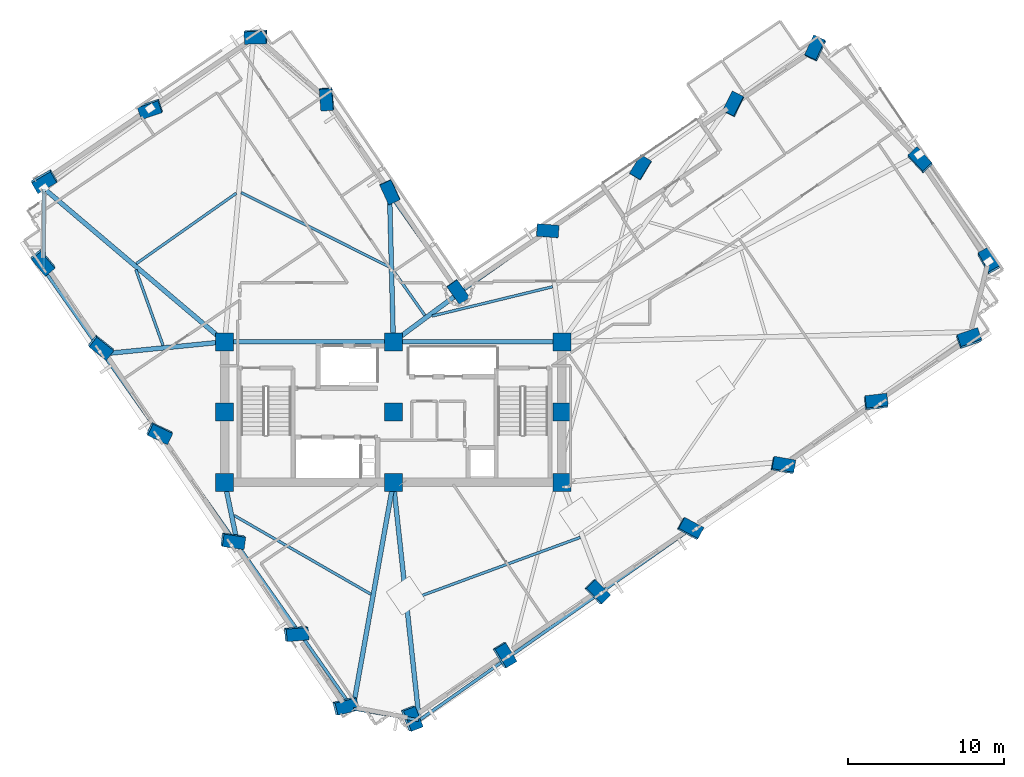
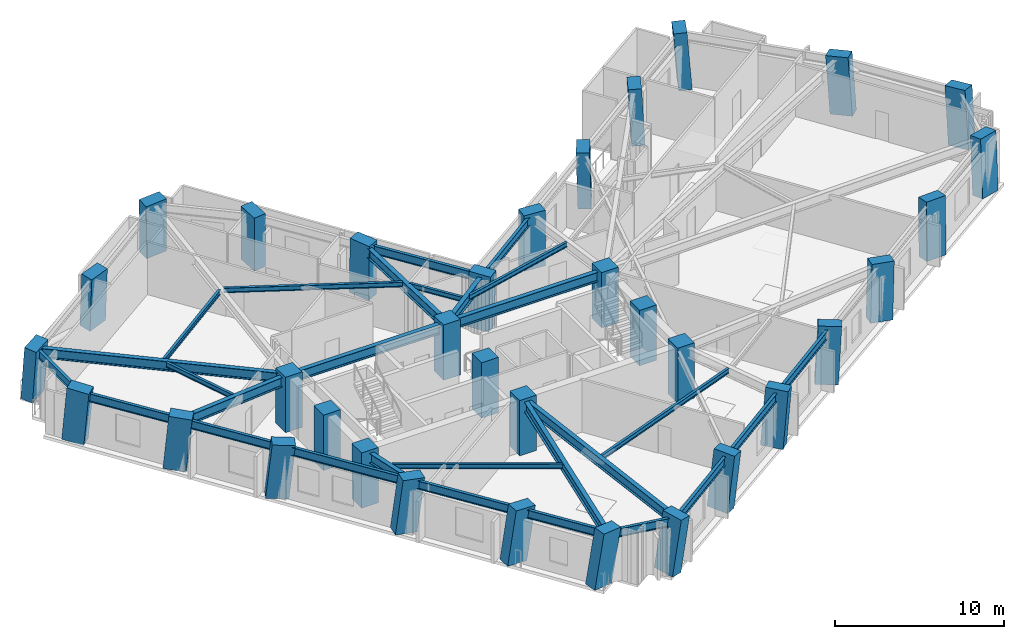
# One storey, part 1 of 16: 34 columns, 28 beams.
"""IFC4 building model written with IfcOpenShell, lengths in metres."""

import ifcopenshell
import ifcopenshell.guid

model = None  # the IFC model being written
_history = None  # IfcOwnerHistory: only IFC2X3 demands one
_inside = {}  # id of a spatial element -> (the spatial element, [elements in it])
_under = {}  # id of a project, library or spatial element -> (it, [spatial elements below it])
_declared = {}  # id of a project -> (the project, [libraries it declares])
_typed = {}  # id of a type object -> (the type object, [elements of that type])
_made_of = {}  # id of a material, layer set ... -> (it, [elements and type objects made of it])


def new_model(schema):
    """Start an empty IFC model of exactly this schema.

    Asked for "IFC4X3", IfcOpenShell would pick the latest addendum, in which some entities
    have other attributes; the version numbers below select the first issue.
    IFC2X3 requires an IfcOwnerHistory on every rooted entity: one is made here for all.
    """
    global model, _history
    if schema == "IFC4X3":
        model = ifcopenshell.file(schema_version=(4, 3, 0, 0))
    else:
        model = ifcopenshell.file(schema=schema)
    _inside.clear()
    _under.clear()
    _declared.clear()
    _typed.clear()
    _made_of.clear()
    _history = None
    if model.schema == "IFC2X3":
        org = make("IfcOrganization", Name="unknown")
        user = make(
            "IfcPersonAndOrganization",
            ThePerson=make("IfcPerson", FamilyName="unknown"),
            TheOrganization=org,
        )
        app = make(
            "IfcApplication",
            ApplicationDeveloper=org,
            Version="unknown",
            ApplicationFullName="unknown",
            ApplicationIdentifier="unknown",
        )
        _history = make(
            "IfcOwnerHistory",
            OwningUser=user,
            OwningApplication=app,
            ChangeAction="ADDED",
            CreationDate=0,
        )
    return model


def make(cls, **values):
    """One entity of the class cls with the attributes given. An attribute that is None is left unset."""
    return model.create_entity(
        cls, **{name: value for name, value in values.items() if value is not None}
    )


def rooted(cls, **values):
    """An entity with a GlobalId (a new one), such as an element, a storey or a relation."""
    return make(cls, GlobalId=ifcopenshell.guid.new(), OwnerHistory=_history, **values)


def si_unit(unit_type, name, prefix=None):
    """IfcSIUnit, for example si_unit("LENGTHUNIT", "METRE", prefix="MILLI")."""
    return make("IfcSIUnit", UnitType=unit_type, Prefix=prefix, Name=name)


def assignment(units):
    """IfcUnitAssignment: the units of a project."""
    return None if units is None else make("IfcUnitAssignment", Units=units)


def point(xyz):
    """IfcCartesianPoint."""
    return None if xyz is None else make("IfcCartesianPoint", Coordinates=xyz)


def direction(xyz):
    """IfcDirection."""
    return None if xyz is None else make("IfcDirection", DirectionRatios=xyz)


def frame(location, z_axis=None, x_axis=None):
    """IfcAxis2Placement3D, a coordinate frame: its origin and axes. An axis left out is left unset."""
    return make(
        "IfcAxis2Placement3D",
        Location=point(location),
        Axis=direction(z_axis),
        RefDirection=direction(x_axis),
    )


def frame_2d(location, x_axis=None):
    """IfcAxis2Placement2D, a coordinate frame in the plane: its origin and x axis."""
    return make(
        "IfcAxis2Placement2D", Location=point(location), RefDirection=direction(x_axis)
    )


def origin():
    """The frame at (0, 0, 0) with its axes left unset."""
    return frame((0.0, 0.0, 0.0))


def origin_2d():
    """The frame at (0, 0) in the plane with its x axis left unset."""
    return frame_2d((0.0, 0.0))


def place(relative_to, where):
    """IfcLocalPlacement: puts the frame where relative to a parent placement (None: the world)."""
    return make(
        "IfcLocalPlacement", PlacementRelTo=relative_to, RelativePlacement=where
    )


def context(
    kind, dimensions, precision=None, world=None, true_north=None, identifier=None
):
    """IfcGeometricRepresentationContext, for example the 3D "Model" context."""
    return make(
        "IfcGeometricRepresentationContext",
        ContextIdentifier=identifier,
        ContextType=kind,
        CoordinateSpaceDimension=dimensions,
        Precision=precision,
        WorldCoordinateSystem=world,
        TrueNorth=true_north,
    )


def subcontext(parent, identifier, kind, view, scale=None):
    """IfcGeometricRepresentationSubContext, for example "Body" below "Model"."""
    return make(
        "IfcGeometricRepresentationSubContext",
        ContextIdentifier=identifier,
        ContextType=kind,
        ParentContext=parent,
        TargetScale=scale,
        TargetView=view,
    )


def project(units=None, contexts=None):
    """IfcProject with its units and contexts."""
    return rooted(
        "IfcProject",
        Name="project",
        RepresentationContexts=contexts,
        UnitsInContext=assignment(units),
    )


def spatial(cls, under=None, at=None, **own):
    """A site, building, storey or space (cls), placed at a placement, below another one or the project."""
    s = rooted(cls, ObjectPlacement=at, **own)
    if under is not None:
        _under.setdefault(under.id(), (under, []))[1].append(s)
    return s


def profile(cls, at=None, kind="AREA", **sizes):
    """A parametric profile (cls). Its sizes go by their IFC names, for example OverallWidth=200.0."""
    return make(cls, ProfileType=kind, Position=at, **sizes)


def rectangle(**sizes):
    """IfcRectangleProfileDef."""
    return profile("IfcRectangleProfileDef", **sizes)


def i_section(**sizes):
    """IfcIShapeProfileDef."""
    return profile("IfcIShapeProfileDef", **sizes)


def extrude(swept, where, along, depth):
    """IfcExtrudedAreaSolid: the profile swept, set in the frame where, extruded along a direction by depth."""
    return make(
        "IfcExtrudedAreaSolid",
        SweptArea=swept,
        Position=where,
        ExtrudedDirection=direction(along),
        Depth=depth,
    )


def shape(context_of_items, identifier, shape_type, items):
    """IfcShapeRepresentation: the items that make up one representation, for example the "Body"."""
    return make(
        "IfcShapeRepresentation",
        ContextOfItems=context_of_items,
        RepresentationIdentifier=identifier,
        RepresentationType=shape_type,
        Items=items,
    )


def material(Name=None, Category=None):
    """IfcMaterial."""
    return make("IfcMaterial", Name=Name, Category=Category)


def material_profile(
    of_material, cross_section, Name=None, Category=None, Priority=None
):
    """IfcMaterialProfile: a cross section and its material."""
    return make(
        "IfcMaterialProfile",
        Name=Name,
        Material=of_material,
        Profile=cross_section,
        Priority=Priority,
        Category=Category,
    )


def profile_set(profiles, Name=None, composite=None):
    """IfcMaterialProfileSet."""
    return make(
        "IfcMaterialProfileSet",
        Name=Name,
        MaterialProfiles=profiles,
        CompositeProfile=composite,
    )


def made_of(thing, what):
    """Note that an element or type object is made of a material, layer set ...; save() writes the relation."""
    if what is not None:
        _made_of.setdefault(what.id(), (what, []))[1].append(thing)
    return thing


def type_object(cls, material=None, **own):
    """A type object (cls), such as IfcWallType, which elements share."""
    return made_of(rooted(cls, **own), material)


def element(
    cls,
    number,
    at=None,
    inside=None,
    cuts=None,
    type_object=None,
    material=None,
    context=None,
    identifier="Body",
    shape_type=None,
    held_by="IfcProductDefinitionShape",
    body=None,
    shapes=None,
    **own,
):
    """One element of the class cls, such as IfcWall. Its Tag is "e" and its number.

    at: its placement. inside: the storey or other place that contains it. cuts: it is an
    opening in that element (IfcRelVoidsElement). A single representation is given by context,
    identifier, shape_type and body (its items); several are given by shapes. held_by: the class
    of the entity that holds the representations. save() writes the other relations.
    """
    e = rooted(cls, Tag="e%d" % number, ObjectPlacement=at, **own)
    if body is not None:
        shapes = [shape(context, identifier, shape_type, body)]
    if shapes is not None:
        e.Representation = make(held_by, Representations=shapes)
    if inside is not None:
        _inside.setdefault(inside.id(), (inside, []))[1].append(e)
    if cuts is not None:
        rooted(
            "IfcRelVoidsElement", RelatingBuildingElement=cuts, RelatedOpeningElement=e
        )
    if type_object is not None:
        _typed.setdefault(type_object.id(), (type_object, []))[1].append(e)
    return made_of(e, material)


def aggregate(whole, parts):
    """IfcRelAggregates: a whole, such as a stair, and the parts it consists of."""
    return rooted("IfcRelAggregates", RelatingObject=whole, RelatedObjects=parts)


def save(model, path):
    """Write the relations noted so far, then the file.

    IfcRelAggregates (storeys below a building ...), IfcRelContainedInSpatialStructure (elements
    in a storey), IfcRelDefinesByType, IfcRelAssociatesMaterial and IfcRelDeclares: one each for
    every whole, place, type object, material and project.
    """
    for whole, parts in _under.values():
        aggregate(whole, parts)
    for where, things in _inside.values():
        rooted(
            "IfcRelContainedInSpatialStructure",
            RelatedElements=things,
            RelatingStructure=where,
        )
    for kind, things in _typed.values():
        rooted("IfcRelDefinesByType", RelatedObjects=things, RelatingType=kind)
    for what, things in _made_of.values():
        rooted("IfcRelAssociatesMaterial", RelatedObjects=things, RelatingMaterial=what)
    for by, libraries in _declared.values():
        rooted("IfcRelDeclares", RelatingContext=by, RelatedDefinitions=libraries)
    model.write(path)


model = new_model("IFC4")

# Units and contexts
model_context = context("Model", 3, precision=1e-05, world=origin(), true_north=direction((0.0, 1.0)))
body_context = subcontext(model_context, "Body", "Model", "MODEL_VIEW")
ifc_project = project(units=[si_unit("LENGTHUNIT", "METRE"), si_unit("AREAUNIT", "SQUARE_METRE"), si_unit("VOLUMEUNIT", "CUBIC_METRE"), si_unit("PLANEANGLEUNIT", "RADIAN"), si_unit("MASSUNIT", "GRAM", prefix="KILO")], contexts=[model_context])

# Site, building, storey
site_placement = place(None, origin())
site = spatial("IfcSite", under=ifc_project, at=site_placement, CompositionType="ELEMENT")
building_placement = place(site_placement, origin())
building = spatial("IfcBuilding", under=site, at=building_placement, Name="Gaonmaruhae Medical Tower", CompositionType="ELEMENT")
storey_placement = place(building_placement, frame((0.0, 0.0, 169.800048828125)))
storey = spatial("IfcBuildingStorey", under=building, at=storey_placement, Name="L40", CompositionType="ELEMENT", Elevation=169.800048828125)

# Columns
ifc_material_1 = material(Name="Concrete C50/60", Category="concrete")
ifc_material_profile_1 = material_profile(ifc_material_1, rectangle(XDim=1.14990234375, YDim=1.14990234375, at=origin_2d()), Name="RC-1150x1150")
ifc_profile_set_1 = profile_set([ifc_material_profile_1], Name="Concrete C50/60")
column_type_1 = type_object("IfcColumnType", Name="CC-04 Zone 3 Core Column (RC-1150x1150)", PredefinedType="COLUMN", material=ifc_profile_set_1)
for number, where, z_axis, x_axis, name in (
    (1, (14.0, 7.800048828125, 0.0), (0.0, 0.0, 1.0), (1.0, 0.0, 0.0), "L40 Plumb Core Column CC11"),
    (2, (14.0, 12.300048828125, 0.0), (0.0, 0.0, 1.0), (1.0, 0.0, 0.0), "L40 Plumb Core Column CC12"),
    (3, (14.0, 16.800048828125, 0.0), (0.0, 0.0, 1.0), (1.0, 0.0, 0.0), "L40 Plumb Core Column CC13"),
    (4, (24.800048828125, 7.800048828125, 0.0), (0.0, 0.0, 1.0), (1.0, 0.0, 0.0), "L40 Plumb Core Column CC21"),
    (5, (24.800048828125, 12.300048828125, 0.0), (0.0, 0.0, 1.0), (1.0, 0.0, 0.0), "L40 Plumb Core Column CC22"),
    (6, (24.800048828125, 16.800048828125, 0.0), (0.0, 0.0, 1.0), (1.0, 0.0, 0.0), "L40 Plumb Core Column CC23"),
    (7, (35.60009765625, 7.800048828125, 0.0), (0.0, 0.0, 1.0), (1.0, 0.0, 0.0), "L40 Plumb Core Column CC31"),
    (8, (35.60009765625, 12.300048828125, 0.0), (0.0, 0.0, 1.0), (1.0, 0.0, 0.0), "L40 Plumb Core Column CC32"),
    (9, (35.60009765625, 16.800048828125, 0.0), (0.0, 0.0, 1.0), (1.0, 0.0, 0.0), "L40 Plumb Core Column CC33"),
):
    element("IfcColumn", number, at=place(storey_placement, frame(where, z_axis=z_axis, x_axis=x_axis)), inside=storey, type_object=column_type_1, Name=name, PredefinedType="COLUMN", context=body_context, shape_type="SweptSolid", body=[
        extrude(rectangle(XDim=1.14990234375, YDim=1.14990234375, at=origin_2d()), origin(), (0.0, 0.0, 1.0), 4.0),
    ])
ifc_material_2 = material(Name="Concrete C60/75", Category="concrete")
ifc_material_profile_2 = material_profile(ifc_material_2, rectangle(XDim=1.39990234375, YDim=0.800048828125, at=origin_2d()), Name="RC-1400x800")
ifc_profile_set_2 = profile_set([ifc_material_profile_2], Name="Concrete C60/75")
column_type_2 = type_object("IfcColumnType", Name="TC-02 Mid Raking Tube Pier Column (RC-1400x800)", PredefinedType="COLUMN", material=ifc_profile_set_2)
column_1_placement = place(storey_placement, frame((25.92578125, -7.3173828125, 0.001708984375), z_axis=(0.132189676567, -0.030444783568, 0.990756783758), x_axis=(-0.35705454414, 0.930966424688, 0.076246761318)))
element("IfcColumn", 10, at=column_1_placement, inside=storey, type_object=column_type_2, Name="L40 Perimeter Tube Column S01", PredefinedType="COLUMN", context=body_context, shape_type="SweptSolid", body=[
    extrude(rectangle(XDim=1.39990234375, YDim=0.800048828125, at=origin_2d()), origin(), (0.0, 0.0, 1.0), 4.03369140625),
])
column_2_placement = place(storey_placement, frame((31.880859375, -3.2705078125, 0.001708984375), z_axis=(0.115596195441, -0.006068041755, 0.993277754945), x_axis=(-0.514180671771, 0.855210437233, 0.065064159292)))
element("IfcColumn", 11, at=column_2_placement, inside=storey, type_object=column_type_2, Name="L40 Perimeter Tube Column S02", PredefinedType="COLUMN", context=body_context, shape_type="SweptSolid", body=[
    extrude(rectangle(XDim=1.39990234375, YDim=0.800048828125, at=origin_2d()), origin(), (0.0, 0.0, 1.0), 4.0234375),
])
column_3_placement = place(storey_placement, frame((37.835693359375, 0.776611328125, 0.001708984375), z_axis=(0.098951455885, 0.01829507876, 0.994924067189), x_axis=(-0.700280094334, 0.711623898087, 0.056561622595)))
element("IfcColumn", 12, at=column_3_placement, inside=storey, type_object=column_type_2, Name="L40 Perimeter Tube Column S03", PredefinedType="COLUMN", context=body_context, shape_type="SweptSolid", body=[
    extrude(rectangle(XDim=1.39990234375, YDim=0.800048828125, at=origin_2d()), origin(), (0.0, 0.0, 1.0), 4.016845703125),
])
column_4_placement = place(storey_placement, frame((43.790771484375, 4.82373046875, 0.001708984375), z_axis=(0.082058303319, 0.042762777786, 0.995709686451), x_axis=(-0.87854744754, 0.4748149682, 0.052010848805)))
element("IfcColumn", 13, at=column_4_placement, inside=storey, type_object=column_type_2, Name="L40 Perimeter Tube Column S04", PredefinedType="COLUMN", context=body_context, shape_type="SweptSolid", body=[
    extrude(rectangle(XDim=1.39990234375, YDim=0.800048828125, at=origin_2d()), origin(), (0.0, 0.0, 1.0), 4.013671875),
])
column_5_placement = place(storey_placement, frame((49.74560546875, 8.870849609375, 0.001708984375), z_axis=(0.065202161493, 0.067148494672, 0.995610243921), x_axis=(-0.983217483362, 0.174687404905, 0.05260884887)))
element("IfcColumn", 14, at=column_5_placement, inside=storey, type_object=column_type_2, Name="L40 Perimeter Tube Column S05", PredefinedType="COLUMN", context=body_context, shape_type="SweptSolid", body=[
    extrude(rectangle(XDim=1.39990234375, YDim=0.800048828125, at=origin_2d()), origin(), (0.0, 0.0, 1.0), 4.013916015625),
])
column_6_placement = place(storey_placement, frame((55.70068359375, 12.917724609375, 0.001708984375), z_axis=(0.048185452989, 0.091509826232, 0.994637679672), x_axis=(-0.992304167362, -0.109330716198, 0.058131178649)))
element("IfcColumn", 15, at=column_6_placement, inside=storey, type_object=column_type_2, Name="L40 Perimeter Tube Column S06", PredefinedType="COLUMN", context=body_context, shape_type="SweptSolid", body=[
    extrude(rectangle(XDim=1.39990234375, YDim=0.800048828125, at=origin_2d()), origin(), (0.0, 0.0, 1.0), 4.017822265625),
])
column_7_placement = place(storey_placement, frame((61.655517578125, 16.96484375, 0.001708984375), z_axis=(0.031295675445, 0.115721218507, 0.992788587911), x_axis=(-0.944079501124, -0.322759370879, 0.067381630046)))
element("IfcColumn", 16, at=column_7_placement, inside=storey, type_object=column_type_2, Name="L40 Perimeter Tube Column S07", PredefinedType="COLUMN", context=body_context, shape_type="SweptSolid", body=[
    extrude(rectangle(XDim=1.39990234375, YDim=0.800048828125, at=origin_2d()), origin(), (0.0, 0.0, 1.0), 4.025390625),
])
column_8_placement = place(storey_placement, frame((62.9287109375, 21.94091796875, 0.001708984375), z_axis=(0.010733315165, 0.120795275761, 0.992619412111), x_axis=(0.487215616572, -0.867502531663, 0.10030104948)))
element("IfcColumn", 17, at=column_8_placement, inside=storey, type_object=column_type_2, Name="L40 Perimeter Tube Column E01", PredefinedType="COLUMN", context=body_context, shape_type="SweptSolid", body=[
    extrude(rectangle(XDim=1.39990234375, YDim=0.800048828125, at=origin_2d()), origin(), (0.0, 0.0, 1.0), 4.026123046875),
])
column_9_placement = place(storey_placement, frame((58.54443359375, 28.39208984375, 0.001708984375), z_axis=(-0.015676138323, 0.102745542265, 0.994584140348), x_axis=(0.679723744702, -0.728413429944, 0.0859622357)))
element("IfcColumn", 18, at=column_9_placement, inside=storey, type_object=column_type_2, Name="L40 Perimeter Tube Column E02", PredefinedType="COLUMN", context=body_context, shape_type="SweptSolid", body=[
    extrude(rectangle(XDim=1.39990234375, YDim=0.800048828125, at=origin_2d()), origin(), (0.0, 0.0, 1.0), 4.01806640625),
])
column_10_placement = place(storey_placement, frame((51.8515625, 35.571533203125, 0.001708984375), z_axis=(-0.045094693959, 0.075036110191, 0.996160655087), x_axis=(-0.420488593526, -0.90596247827, 0.049207018627)))
element("IfcColumn", 19, at=column_10_placement, inside=storey, type_object=column_type_2, Name="L40 Perimeter Tube Column E03", PredefinedType="COLUMN", context=body_context, shape_type="SweptSolid", body=[
    extrude(rectangle(XDim=1.39990234375, YDim=0.800048828125, at=origin_2d()), origin(), (0.0, 0.0, 1.0), 4.01171875),
])
column_11_placement = place(storey_placement, frame((46.599609375, 32.00244140625, 0.001708984375), z_axis=(-0.030243842786, 0.05353647977, 0.998107787419), x_axis=(-0.444173384938, -0.895273976304, 0.034561705191)))
element("IfcColumn", 20, at=column_11_placement, inside=storey, type_object=column_type_2, Name="L40 Perimeter Tube Column EN01", PredefinedType="COLUMN", context=body_context, shape_type="SweptSolid", body=[
    extrude(rectangle(XDim=1.39990234375, YDim=0.800048828125, at=origin_2d()), origin(), (0.0, 0.0, 1.0), 4.00390625),
])
column_12_placement = place(storey_placement, frame((40.64453125, 27.955322265625, 0.001708984375), z_axis=(-0.013311050234, 0.029064495006, 0.999488904927), x_axis=(-0.518042365863, -0.855166206811, 0.017968469588)))
element("IfcColumn", 21, at=column_12_placement, inside=storey, type_object=column_type_2, Name="L40 Perimeter Tube Column EN02", PredefinedType="COLUMN", context=body_context, shape_type="SweptSolid", body=[
    extrude(rectangle(XDim=1.39990234375, YDim=0.800048828125, at=origin_2d()), origin(), (0.0, 0.0, 1.0), 3.998291015625),
])
column_13_placement = place(storey_placement, frame((34.689697265625, 23.908203125, 0.001708984375), z_axis=(0.003665402111, 0.004581752639, 0.999982786037), x_axis=(-0.996966081453, 0.077767316045, 0.003298027747)))
element("IfcColumn", 22, at=column_13_placement, inside=storey, type_object=column_type_2, Name="L40 Perimeter Tube Column EN03", PredefinedType="COLUMN", context=body_context, shape_type="SweptSolid", body=[
    extrude(rectangle(XDim=1.39990234375, YDim=0.800048828125, at=origin_2d()), origin(), (0.0, 0.0, 1.0), 3.996337890625),
])
column_14_placement = place(storey_placement, frame((28.94140625, 20.001708984375, 0.001708984375), z_axis=(0.020030194878, -0.019114179869, 0.99961664623), x_axis=(-0.581006277016, 0.813444565277, 0.027196420538)))
element("IfcColumn", 23, at=column_14_placement, inside=storey, type_object=column_type_2, Name="L40 Perimeter Tube Column KN01", PredefinedType="COLUMN", context=body_context, shape_type="SweptSolid", body=[
    extrude(rectangle(XDim=1.39990234375, YDim=0.800048828125, at=origin_2d()), origin(), (0.0, 0.0, 1.0), 3.997802734375),
])
column_15_placement = place(storey_placement, frame((24.585205078125, 26.41162109375, 0.001708984375), z_axis=(-0.006348894644, -0.03742185016, 0.999279388693), x_axis=(-0.415920743868, 0.908858847137, 0.031393164881)))
element("IfcColumn", 24, at=column_15_placement, inside=storey, type_object=column_type_2, Name="L40 Perimeter Tube Column NE01", PredefinedType="COLUMN", context=body_context, shape_type="SweptSolid", body=[
    extrude(rectangle(XDim=1.39990234375, YDim=0.800048828125, at=origin_2d()), origin(), (0.0, 0.0, 1.0), 3.999267578125),
])
column_16_placement = place(storey_placement, frame((20.538330078125, 32.366455078125, 0.001708984375), z_axis=(-0.030851806234, -0.054265034679, 0.998049834459), x_axis=(-0.080649330283, 0.995404549796, 0.051628168379)))
element("IfcColumn", 25, at=column_16_placement, inside=storey, type_object=column_type_2, Name="L40 Perimeter Tube Column NE02", PredefinedType="COLUMN", context=body_context, shape_type="SweptSolid", body=[
    extrude(rectangle(XDim=1.39990234375, YDim=0.800048828125, at=origin_2d()), origin(), (0.0, 0.0, 1.0), 4.004150390625),
])
column_17_placement = place(storey_placement, frame((16.00927734375, 36.36181640625, 0.001708984375), z_axis=(-0.047105602248, -0.07303194147, 0.996216541602), x_axis=(0.99855811031, 0.022260915864, 0.048848254409)))
element("IfcColumn", 26, at=column_17_placement, inside=storey, type_object=column_type_2, Name="L40 Perimeter Tube Column N01", PredefinedType="COLUMN", context=body_context, shape_type="SweptSolid", body=[
    extrude(rectangle(XDim=1.39990234375, YDim=0.800048828125, at=origin_2d()), origin(), (0.0, 0.0, 1.0), 4.011474609375),
])
column_18_placement = place(storey_placement, frame((9.227294921875, 31.752685546875, 0.001708984375), z_axis=(-0.027826504823, -0.10073437772, 0.994524142882), x_axis=(0.946066222421, 0.318603384358, 0.058741691071)))
element("IfcColumn", 27, at=column_18_placement, inside=storey, type_object=column_type_2, Name="L40 Perimeter Tube Column N02", PredefinedType="COLUMN", context=body_context, shape_type="SweptSolid", body=[
    extrude(rectangle(XDim=1.39990234375, YDim=0.800048828125, at=origin_2d()), origin(), (0.0, 0.0, 1.0), 4.018310546875),
])
column_19_placement = place(storey_placement, frame((2.4453125, 27.1435546875, 0.001708984375), z_axis=(-0.008542517068, -0.128137756018, 0.99171958783), x_axis=(0.862328353253, 0.501177896932, 0.072183978851)))
element("IfcColumn", 28, at=column_19_placement, inside=storey, type_object=column_type_2, Name="L40 Perimeter Tube Column N03", PredefinedType="COLUMN", context=body_context, shape_type="SweptSolid", body=[
    extrude(rectangle(XDim=1.39990234375, YDim=0.800048828125, at=origin_2d()), origin(), (0.0, 0.0, 1.0), 4.02978515625),
])
column_20_placement = place(storey_placement, frame((2.35302734375, 21.942138671875, 0.001708984375), z_axis=(0.012782607055, -0.128310719163, 0.99165163455), x_axis=(-0.640620065325, 0.760415678439, 0.106648618774)))
element("IfcColumn", 29, at=column_20_placement, inside=storey, type_object=column_type_2, Name="L40 Perimeter Tube Column W01", PredefinedType="COLUMN", context=body_context, shape_type="SweptSolid", body=[
    extrude(rectangle(XDim=1.39990234375, YDim=0.800048828125, at=origin_2d()), origin(), (0.0, 0.0, 1.0), 4.030029296875),
])
column_21_placement = place(storey_placement, frame((6.062744140625, 16.4833984375, 0.001708984375), z_axis=(0.035183752293, -0.113012638829, 0.992970415994), x_axis=(-0.780800746343, 0.617062923055, 0.097895574472)))
element("IfcColumn", 30, at=column_21_placement, inside=storey, type_object=column_type_2, Name="L40 Perimeter Tube Column W02", PredefinedType="COLUMN", context=body_context, shape_type="SweptSolid", body=[
    extrude(rectangle(XDim=1.39990234375, YDim=0.800048828125, at=origin_2d()), origin(), (0.0, 0.0, 1.0), 4.024658203125),
])
column_22_placement = place(storey_placement, frame((9.80078125, 10.9833984375, 0.001708984375), z_axis=(0.057662755766, -0.097541103701, 0.993559630665), x_axis=(-0.902042281656, 0.421351241208, 0.093716880212)))
element("IfcColumn", 31, at=column_22_placement, inside=storey, type_object=column_type_2, Name="L40 Perimeter Tube Column W03", PredefinedType="COLUMN", context=body_context, shape_type="SweptSolid", body=[
    extrude(rectangle(XDim=1.39990234375, YDim=0.800048828125, at=origin_2d()), origin(), (0.0, 0.0, 1.0), 4.022216796875),
])
column_23_placement = place(storey_placement, frame((14.494140625, 4.077392578125, 0.001708984375), z_axis=(0.085980971728, -0.077971452838, 0.99324102062), x_axis=(-0.986119314083, 0.1354725925, 0.095999349344)))
element("IfcColumn", 32, at=column_23_placement, inside=storey, type_object=column_type_2, Name="L40 Perimeter Tube Column W04", PredefinedType="COLUMN", context=body_context, shape_type="SweptSolid", body=[
    extrude(rectangle(XDim=1.39990234375, YDim=0.800048828125, at=origin_2d()), origin(), (0.0, 0.0, 1.0), 4.0234375),
])
column_24_placement = place(storey_placement, frame((18.541259765625, -1.877685546875, 0.001708984375), z_axis=(0.110179527402, -0.060968429355, 0.992039980224), x_axis=(-0.990057530453, -0.094546979829, 0.104148715783)))
element("IfcColumn", 33, at=column_24_placement, inside=storey, type_object=column_type_2, Name="L40 Perimeter Tube Column W05", PredefinedType="COLUMN", context=body_context, shape_type="SweptSolid", body=[
    extrude(rectangle(XDim=1.39990234375, YDim=0.800048828125, at=origin_2d()), origin(), (0.0, 0.0, 1.0), 4.0283203125),
])
column_25_placement = place(storey_placement, frame((21.68896484375, -6.50927734375, 0.001708984375), z_axis=(0.128948147742, -0.047803395925, 0.990498465689), x_axis=(-0.963518170977, -0.242270940028, 0.113743245142)))
element("IfcColumn", 34, at=column_25_placement, inside=storey, type_object=column_type_2, Name="L40 Perimeter Tube Column W06", PredefinedType="COLUMN", context=body_context, shape_type="SweptSolid", body=[
    extrude(rectangle(XDim=1.39990234375, YDim=0.800048828125, at=origin_2d()), origin(), (0.0, 0.0, 1.0), 4.03466796875),
])

# Beams
ifc_material_3 = material(Name="Steel SM355", Category="steel")
ifc_material_profile_3 = material_profile(ifc_material_3, i_section(OverallWidth=0.175048828125, OverallDepth=0.35009765625, WebThickness=0.007080078125, FlangeThickness=0.010986328125, FilletRadius=0.012939453125, at=origin_2d()), Name="H-350x175x7x11")
ifc_profile_set_3 = profile_set([ifc_material_profile_3], Name="Steel SM355")
beam_type_1 = type_object("IfcBeamType", Name="FJ-02 Upper Zone Ward Floor Joist (H-350x175x7x11)", PredefinedType="JOIST", material=ifc_profile_set_3)
beam_1_placement = place(storey_placement, frame((25.7802734375, 0.2353515625, 3.60498046875), z_axis=(0.93870432893, 0.344723342476, 0.0), x_axis=(-0.344723342476, 0.93870432893, 0.0)))
element("IfcBeam", 35, at=beam_1_placement, inside=storey, type_object=beam_type_1, Name="L40 Secondary Floor Joist FJ01", PredefinedType="JOIST", context=body_context, shape_type="SweptSolid", body=[
    extrude(i_section(OverallWidth=0.175048828125, OverallDepth=0.35009765625, WebThickness=0.007080078125, FlangeThickness=0.010986328125, FilletRadius=0.012939453125, at=origin_2d()), origin(), (0.0, 0.0, 1.0), 11.70751953125),
])
beam_2_placement = place(storey_placement, frame((34.99951171875, 20.326171875, 3.60498046875), z_axis=(-0.971776590607, -0.235903068969, 0.0), x_axis=(0.235903068969, -0.971776590607, 0.0)))
element("IfcBeam", 36, at=beam_2_placement, inside=storey, type_object=beam_type_1, Name="L40 Secondary Floor Joist FJ07", PredefinedType="JOIST", context=body_context, shape_type="SweptSolid", body=[
    extrude(i_section(OverallWidth=0.175048828125, OverallDepth=0.35009765625, WebThickness=0.007080078125, FlangeThickness=0.010986328125, FilletRadius=0.012939453125, at=origin_2d()), origin(), (0.0, 0.0, 1.0), 7.931640625),
])
beam_3_placement = place(storey_placement, frame((26.821044921875, 18.490234375, 3.60498046875), z_axis=(-0.575730541875, 0.817639494614, 0.0), x_axis=(-0.817639494614, -0.575730541875, 0.0)))
element("IfcBeam", 37, at=beam_3_placement, inside=storey, type_object=beam_type_1, Name="L40 Secondary Floor Joist FJ08", PredefinedType="JOIST", context=body_context, shape_type="SweptSolid", body=[
    extrude(i_section(OverallWidth=0.175048828125, OverallDepth=0.35009765625, WebThickness=0.007080078125, FlangeThickness=0.010986328125, FilletRadius=0.012939453125, at=origin_2d()), origin(), (0.0, 0.0, 1.0), 3.4423828125),
])
beam_4_placement = place(storey_placement, frame((24.5224609375, 21.60986328125, 3.60498046875), z_axis=(-0.893748260391, 0.448568887739, 0.0), x_axis=(-0.448568887739, -0.893748260391, 0.0)))
element("IfcBeam", 38, at=beam_4_placement, inside=storey, type_object=beam_type_1, Name="L40 Secondary Floor Joist FJ09", PredefinedType="JOIST", context=body_context, shape_type="SweptSolid", body=[
    extrude(i_section(OverallWidth=0.175048828125, OverallDepth=0.35009765625, WebThickness=0.007080078125, FlangeThickness=0.010986328125, FilletRadius=0.012939453125, at=origin_2d()), origin(), (0.0, 0.0, 1.0), 10.588134765625),
])
beam_5_placement = place(storey_placement, frame((14.743896484375, 26.317138671875, 3.60498046875), z_axis=(-0.817664099235, -0.575695597362, 0.0), x_axis=(0.575695597362, -0.817664099235, 0.0)))
element("IfcBeam", 39, at=beam_5_placement, inside=storey, type_object=beam_type_1, Name="L40 Secondary Floor Joist FJ10", PredefinedType="JOIST", context=body_context, shape_type="SweptSolid", body=[
    extrude(i_section(OverallWidth=0.175048828125, OverallDepth=0.35009765625, WebThickness=0.007080078125, FlangeThickness=0.010986328125, FilletRadius=0.012939453125, at=origin_2d()), origin(), (0.0, 0.0, 1.0), 7.835693359375),
])
beam_6_placement = place(storey_placement, frame((8.30859375, 21.425537109375, 3.60498046875), z_axis=(0.336980478826, -0.941511633964, 0.0), x_axis=(0.941511633964, 0.336980478826, 0.0)))
element("IfcBeam", 40, at=beam_6_placement, inside=storey, type_object=beam_type_1, Name="L40 Secondary Floor Joist FJ11", PredefinedType="JOIST", context=body_context, shape_type="SweptSolid", body=[
    extrude(i_section(OverallWidth=0.175048828125, OverallDepth=0.35009765625, WebThickness=0.007080078125, FlangeThickness=0.010986328125, FilletRadius=0.012939453125, at=origin_2d()), origin(), (0.0, 0.0, 1.0), 5.162109375),
])
beam_7_placement = place(storey_placement, frame((14.599365234375, 5.678466796875, 3.60498046875), z_axis=(0.866521831639, -0.499139174273, 0.0), x_axis=(0.499139174273, 0.866521831639, 0.0)))
element("IfcBeam", 41, at=beam_7_placement, inside=storey, type_object=beam_type_1, Name="L40 Secondary Floor Joist FJ13", PredefinedType="JOIST", context=body_context, shape_type="SweptSolid", body=[
    extrude(i_section(OverallWidth=0.175048828125, OverallDepth=0.35009765625, WebThickness=0.007080078125, FlangeThickness=0.010986328125, FilletRadius=0.012939453125, at=origin_2d()), origin(), (0.0, 0.0, 1.0), 10.111572265625),
])
ifc_material_4 = material(Name="Steel SM420", Category="steel")
ifc_material_profile_4 = material_profile(ifc_material_4, i_section(OverallWidth=0.300048828125, OverallDepth=0.699951171875, WebThickness=0.012939453125, FlangeThickness=0.02392578125, FilletRadius=0.01806640625, at=origin_2d()), Name="H-700x300x13x24")
ifc_profile_set_4 = profile_set([ifc_material_profile_4], Name="Steel SM420")
beam_type_2 = type_object("IfcBeamType", Name="PG-03 Zone 3 Radial Floor Girder (H-700x300x13x24)", PredefinedType="BEAM", material=ifc_profile_set_4)
for number, where, z_axis, x_axis, name in (
    (42, (14.050048828125, 16.800048828125, 3.429931640625), (1.0, 0.0, 0.0), (0.0, 1.0, 0.0), "L40 Beam BM-L40-CG-N1"),
    (43, (24.85009765625, 16.800048828125, 3.429931640625), (1.0, 0.0, 0.0), (0.0, 1.0, 0.0), "L40 Beam BM-L40-CG-N2"),
):
    element("IfcBeam", number, at=place(storey_placement, frame(where, z_axis=z_axis, x_axis=x_axis)), inside=storey, type_object=beam_type_2, Name=name, PredefinedType="BEAM", context=body_context, shape_type="SweptSolid", body=[
        extrude(i_section(OverallWidth=0.300048828125, OverallDepth=0.699951171875, WebThickness=0.012939453125, FlangeThickness=0.02392578125, FilletRadius=0.01806640625, at=origin_2d()), origin(), (0.0, 0.0, 1.0), 10.699951171875),
    ])
beam_8_placement = place(storey_placement, frame((24.805419921875, 7.750244140625, 3.429931640625), z_axis=(0.108219675725, -0.994127004857, 0.0), x_axis=(0.994127004857, 0.108219675725, 0.0)))
element("IfcBeam", 44, at=beam_8_placement, inside=storey, type_object=beam_type_2, Name="L40 Radial Primary Girder S01", PredefinedType="BEAM", context=body_context, shape_type="SweptSolid", body=[
    extrude(i_section(OverallWidth=0.300048828125, OverallDepth=0.699951171875, WebThickness=0.012939453125, FlangeThickness=0.02392578125, FilletRadius=0.01806640625, at=origin_2d()), origin(), (0.0, 0.0, 1.0), 15.22998046875),
])
beam_9_placement = place(storey_placement, frame((24.840087890625, 16.829833984375, 3.429931640625), z_axis=(0.803742653797, 0.594977097431, 0.0), x_axis=(-0.594977097431, 0.803742653797, 0.0)))
element("IfcBeam", 45, at=beam_9_placement, inside=storey, type_object=beam_type_2, Name="L40 Radial Primary Girder KN01", PredefinedType="BEAM", context=body_context, shape_type="SweptSolid", body=[
    extrude(i_section(OverallWidth=0.300048828125, OverallDepth=0.699951171875, WebThickness=0.012939453125, FlangeThickness=0.02392578125, FilletRadius=0.01806640625, at=origin_2d()), origin(), (0.0, 0.0, 1.0), 5.152587890625),
])
beam_10_placement = place(storey_placement, frame((24.798828125, 16.85009765625, 3.429931640625), z_axis=(-0.025392112647, 0.999677568327, 0.0), x_axis=(-0.999677568327, -0.025392112647, 0.0)))
element("IfcBeam", 46, at=beam_10_placement, inside=storey, type_object=beam_type_2, Name="L40 Radial Primary Girder NE01", PredefinedType="BEAM", context=body_context, shape_type="SweptSolid", body=[
    extrude(i_section(OverallWidth=0.300048828125, OverallDepth=0.699951171875, WebThickness=0.012939453125, FlangeThickness=0.02392578125, FilletRadius=0.01806640625, at=origin_2d()), origin(), (0.0, 0.0, 1.0), 9.36474609375),
])
beam_11_placement = place(storey_placement, frame((13.9619140625, 16.832275390625, 3.429931640625), z_axis=(-0.762716551477, 0.64673291404, 0.0), x_axis=(-0.64673291404, -0.762716551477, 0.0)))
element("IfcBeam", 47, at=beam_11_placement, inside=storey, type_object=beam_type_2, Name="L40 Radial Primary Girder N03", PredefinedType="BEAM", context=body_context, shape_type="SweptSolid", body=[
    extrude(i_section(OverallWidth=0.300048828125, OverallDepth=0.699951171875, WebThickness=0.012939453125, FlangeThickness=0.02392578125, FilletRadius=0.01806640625, at=origin_2d()), origin(), (0.0, 0.0, 1.0), 15.0947265625),
])
beam_12_placement = place(storey_placement, frame((13.9501953125, 16.795166015625, 3.429931640625), z_axis=(-0.995134540441, -0.098525359284, 0.0), x_axis=(0.098525359284, -0.995134540441, 0.0)))
element("IfcBeam", 48, at=beam_12_placement, inside=storey, type_object=beam_type_2, Name="L40 Radial Primary Girder W02", PredefinedType="BEAM", context=body_context, shape_type="SweptSolid", body=[
    extrude(i_section(OverallWidth=0.300048828125, OverallDepth=0.699951171875, WebThickness=0.012939453125, FlangeThickness=0.02392578125, FilletRadius=0.01806640625, at=origin_2d()), origin(), (0.0, 0.0, 1.0), 7.733642578125),
])
beam_13_placement = place(storey_placement, frame((14.01025390625, 7.7509765625, 3.429931640625), z_axis=(0.20378945521, -0.97901473837, 0.0), x_axis=(0.97901473837, 0.20378945521, 0.0)))
element("IfcBeam", 49, at=beam_13_placement, inside=storey, type_object=beam_type_2, Name="L40 Radial Primary Girder W04", PredefinedType="BEAM", context=body_context, shape_type="SweptSolid", body=[
    extrude(i_section(OverallWidth=0.300048828125, OverallDepth=0.699951171875, WebThickness=0.012939453125, FlangeThickness=0.02392578125, FilletRadius=0.01806640625, at=origin_2d()), origin(), (0.0, 0.0, 1.0), 4.02294921875),
])
beam_14_placement = place(storey_placement, frame((24.791259765625, 7.750732421875, 3.429931640625), z_axis=(-0.175849543082, -0.984417055012, 0.0), x_axis=(0.984417055012, -0.175849543082, 0.0)))
element("IfcBeam", 50, at=beam_14_placement, inside=storey, type_object=beam_type_2, Name="L40 Radial Primary Girder W06", PredefinedType="BEAM", context=body_context, shape_type="SweptSolid", body=[
    extrude(i_section(OverallWidth=0.300048828125, OverallDepth=0.699951171875, WebThickness=0.012939453125, FlangeThickness=0.02392578125, FilletRadius=0.01806640625, at=origin_2d()), origin(), (0.0, 0.0, 1.0), 14.6318359375),
])
ifc_material_profile_5 = material_profile(ifc_material_3, i_section(OverallWidth=0.199951171875, OverallDepth=0.60009765625, WebThickness=0.010986328125, FlangeThickness=0.01708984375, FilletRadius=0.012939453125, at=origin_2d()), Name="H-600x200x11x17")
ifc_profile_set_5 = profile_set([ifc_material_profile_5], Name="Steel SM355")
beam_type_3 = type_object("IfcBeamType", Name="SP-01 Lower Perimeter Spandrel Beam (H-600x200x11x17)", PredefinedType="SPANDREL", material=ifc_profile_set_5)
beam_15_placement = place(storey_placement, frame((26.491943359375, -7.417236328125, 3.47998046875), z_axis=(0.817642014765, 0.575726962797, 0.0), x_axis=(-0.575726962797, 0.817642014765, 0.0)))
element("IfcBeam", 51, at=beam_15_placement, inside=storey, type_object=beam_type_3, Name="L40 Perimeter Spandrel Beam S01-S02", PredefinedType="SPANDREL", context=body_context, shape_type="SweptSolid", body=[
    extrude(i_section(OverallWidth=0.199951171875, OverallDepth=0.60009765625, WebThickness=0.010986328125, FlangeThickness=0.01708984375, FilletRadius=0.012939453125, at=origin_2d()), origin(), (0.0, 0.0, 1.0), 7.119873046875),
])
for number, where, z_axis, x_axis, name in (
    (52, (32.37890625, -3.27197265625, 3.47998046875), (0.817653380061, 0.575710821572, 0.0), (-0.575710821572, 0.817653380061, 0.0), "L40 Perimeter Spandrel Beam S02-S03"),
    (53, (38.265869140625, 0.873291015625, 3.47998046875), (0.817653380061, 0.575710821572, 0.0), (-0.575710821572, 0.817653380061, 0.0), "L40 Perimeter Spandrel Beam S03-S04"),
):
    element("IfcBeam", number, at=place(storey_placement, frame(where, z_axis=z_axis, x_axis=x_axis)), inside=storey, type_object=beam_type_3, Name=name, PredefinedType="SPANDREL", context=body_context, shape_type="SweptSolid", body=[
        extrude(i_section(OverallWidth=0.199951171875, OverallDepth=0.60009765625, WebThickness=0.010986328125, FlangeThickness=0.01708984375, FilletRadius=0.012939453125, at=origin_2d()), origin(), (0.0, 0.0, 1.0), 7.1201171875),
    ])
beam_16_placement = place(storey_placement, frame((34.671630859375, 23.9033203125, 3.47998046875), z_axis=(-0.817652762711, -0.575711698362, 0.0), x_axis=(0.575711698362, -0.817652762711, 0.0)))
element("IfcBeam", 54, at=beam_16_placement, inside=storey, type_object=beam_type_3, Name="L40 Perimeter Spandrel Beam EN03-KN01", PredefinedType="SPANDREL", context=body_context, shape_type="SweptSolid", body=[
    extrude(i_section(OverallWidth=0.199951171875, OverallDepth=0.60009765625, WebThickness=0.010986328125, FlangeThickness=0.01708984375, FilletRadius=0.012939453125, at=origin_2d()), origin(), (0.0, 0.0, 1.0), 6.869873046875),
])
beam_17_placement = place(storey_placement, frame((28.99853515625, 19.9580078125, 3.47998046875), z_axis=(-0.575726770923, 0.817642149869, 0.0), x_axis=(-0.817642149869, -0.575726770923, 0.0)))
element("IfcBeam", 55, at=beam_17_placement, inside=storey, type_object=beam_type_3, Name="L40 Perimeter Spandrel Beam KN01-NE01", PredefinedType="SPANDREL", context=body_context, shape_type="SweptSolid", body=[
    extrude(i_section(OverallWidth=0.199951171875, OverallDepth=0.60009765625, WebThickness=0.010986328125, FlangeThickness=0.01708984375, FilletRadius=0.012939453125, at=origin_2d()), origin(), (0.0, 0.0, 1.0), 7.669921875),
])
beam_18_placement = place(storey_placement, frame((2.41064453125, 26.5869140625, 3.47998046875), z_axis=(-0.001143945867, -0.999999345694, 0.0), x_axis=(0.999999345694, -0.001143945867, 0.0)))
element("IfcBeam", 56, at=beam_18_placement, inside=storey, type_object=beam_type_3, Name="L40 Perimeter Spandrel Beam N03-W01", PredefinedType="SPANDREL", context=body_context, shape_type="SweptSolid", body=[
    extrude(i_section(OverallWidth=0.199951171875, OverallDepth=0.60009765625, WebThickness=0.010986328125, FlangeThickness=0.01708984375, FilletRadius=0.012939453125, at=origin_2d()), origin(), (0.0, 0.0, 1.0), 5.1220703125),
])
beam_19_placement = place(storey_placement, frame((2.427734375, 21.39208984375, 3.47998046875), z_axis=(0.575716921038, -0.817649085385, 0.0), x_axis=(0.817649085385, 0.575716921038, 0.0)))
element("IfcBeam", 57, at=beam_19_placement, inside=storey, type_object=beam_type_3, Name="L40 Perimeter Spandrel Beam W01-W02", PredefinedType="SPANDREL", context=body_context, shape_type="SweptSolid", body=[
    extrude(i_section(OverallWidth=0.199951171875, OverallDepth=0.60009765625, WebThickness=0.010986328125, FlangeThickness=0.01708984375, FilletRadius=0.012939453125, at=origin_2d()), origin(), (0.0, 0.0, 1.0), 6.52001953125),
])
beam_20_placement = place(storey_placement, frame((6.2275390625, 15.99560546875, 3.47998046875), z_axis=(0.575709694327, -0.817654173754, 0.0), x_axis=(0.817654173754, 0.575709694327, 0.0)))
element("IfcBeam", 58, at=beam_20_placement, inside=storey, type_object=beam_type_3, Name="L40 Perimeter Spandrel Beam W02-W03", PredefinedType="SPANDREL", context=body_context, shape_type="SweptSolid", body=[
    extrude(i_section(OverallWidth=0.199951171875, OverallDepth=0.60009765625, WebThickness=0.010986328125, FlangeThickness=0.01708984375, FilletRadius=0.012939453125, at=origin_2d()), origin(), (0.0, 0.0, 1.0), 6.570068359375),
])
beam_21_placement = place(storey_placement, frame((10.055908203125, 10.55810546875, 3.47998046875), z_axis=(0.575734701755, -0.817636565471, 0.0), x_axis=(0.817636565471, 0.575734701755, 0.0)))
element("IfcBeam", 59, at=beam_21_placement, inside=storey, type_object=beam_type_3, Name="L40 Perimeter Spandrel Beam W03-W04", PredefinedType="SPANDREL", context=body_context, shape_type="SweptSolid", body=[
    extrude(i_section(OverallWidth=0.199951171875, OverallDepth=0.60009765625, WebThickness=0.010986328125, FlangeThickness=0.01708984375, FilletRadius=0.012939453125, at=origin_2d()), origin(), (0.0, 0.0, 1.0), 8.269775390625),
])
beam_22_placement = place(storey_placement, frame((14.86328125, 3.73095703125, 3.47998046875), z_axis=(0.575710821572, -0.817653380061, 0.0), x_axis=(0.817653380061, 0.575710821572, 0.0)))
element("IfcBeam", 60, at=beam_22_placement, inside=storey, type_object=beam_type_3, Name="L40 Perimeter Spandrel Beam W04-W05", PredefinedType="SPANDREL", context=body_context, shape_type="SweptSolid", body=[
    extrude(i_section(OverallWidth=0.199951171875, OverallDepth=0.60009765625, WebThickness=0.010986328125, FlangeThickness=0.01708984375, FilletRadius=0.012939453125, at=origin_2d()), origin(), (0.0, 0.0, 1.0), 7.1201171875),
])
beam_23_placement = place(storey_placement, frame((19.00830078125, -2.15625, 3.47998046875), z_axis=(0.575719070041, -0.81764757224, 0.0), x_axis=(0.81764757224, 0.575719070041, 0.0)))
element("IfcBeam", 61, at=beam_23_placement, inside=storey, type_object=beam_type_3, Name="L40 Perimeter Spandrel Beam W05-W06", PredefinedType="SPANDREL", context=body_context, shape_type="SweptSolid", body=[
    extrude(i_section(OverallWidth=0.199951171875, OverallDepth=0.60009765625, WebThickness=0.010986328125, FlangeThickness=0.01708984375, FilletRadius=0.012939453125, at=origin_2d()), origin(), (0.0, 0.0, 1.0), 5.52001953125),
])
beam_24_placement = place(storey_placement, frame((22.248779296875, -6.709228515625, 3.47998046875), z_axis=(0.985261659743, -0.171053973472, 0.0), x_axis=(0.171053973472, 0.985261659743, 0.0)))
element("IfcBeam", 62, at=beam_24_placement, inside=storey, type_object=beam_type_3, Name="L40 Perimeter Spandrel Beam W06-S01", PredefinedType="SPANDREL", context=body_context, shape_type="SweptSolid", body=[
    extrude(i_section(OverallWidth=0.199951171875, OverallDepth=0.60009765625, WebThickness=0.010986328125, FlangeThickness=0.01708984375, FilletRadius=0.012939453125, at=origin_2d()), origin(), (0.0, 0.0, 1.0), 4.2333984375),
])

save(model, "model.ifc")
